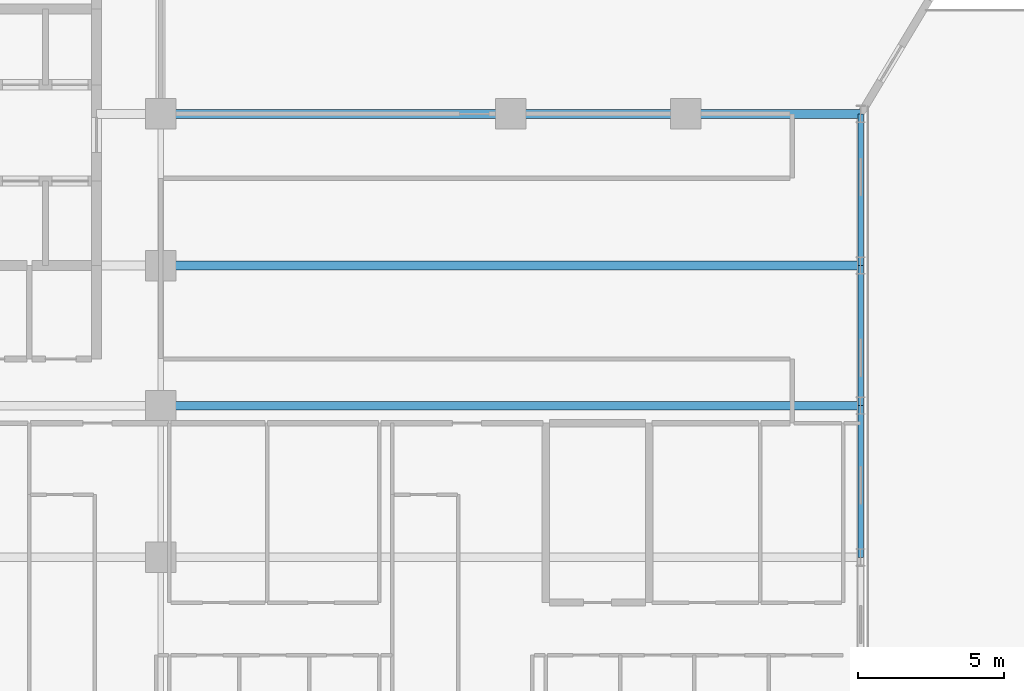
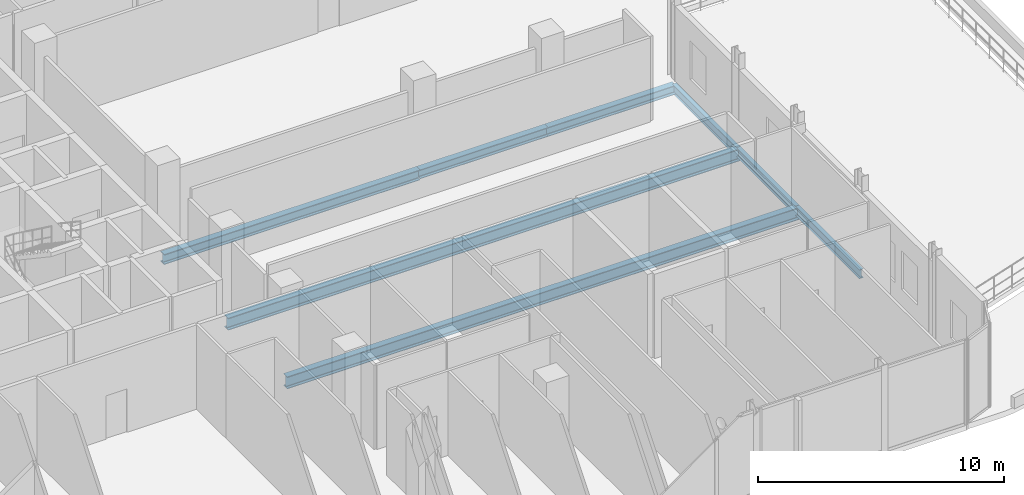
# One storey, part 11 of 30: 8 beams.
"""IFC4 building model written with IfcOpenShell, lengths in metres."""

from ifc_helpers import new_model, si_unit, direction, frame, origin, origin_2d, place, context, subcontext, project, spatial, i_section, extrude, material, material_profile, profile_set, type_object, element, save


model = new_model("IFC4")

# Units and contexts
model_context = context("Model", 3, precision=1e-05, world=origin(), true_north=direction((0.0, 1.0)))
body_context = subcontext(model_context, "Body", "Model", "MODEL_VIEW")
ifc_project = project(units=[si_unit("LENGTHUNIT", "METRE"), si_unit("AREAUNIT", "SQUARE_METRE"), si_unit("VOLUMEUNIT", "CUBIC_METRE"), si_unit("PLANEANGLEUNIT", "RADIAN"), si_unit("MASSUNIT", "GRAM", prefix="KILO")], contexts=[model_context])

# Site, building, storey
site_placement = place(None, origin())
site = spatial("IfcSite", under=ifc_project, at=site_placement, CompositionType="ELEMENT")
building_placement = place(site_placement, origin())
building = spatial("IfcBuilding", under=site, at=building_placement, Name="Keshet Zoharim Tower", CompositionType="ELEMENT")
storey_placement = place(building_placement, frame((0.0, 0.0, 86.39990234375)))
storey = spatial("IfcBuildingStorey", under=building, at=storey_placement, Name="L20", CompositionType="ELEMENT", Elevation=86.39990234375)

# Beams
ifc_material = material(Name="Steel S355", Category="steel")
ifc_material_profile_1 = material_profile(ifc_material, i_section(OverallWidth=0.300048828125, OverallDepth=0.60009765625, WebThickness=0.015380859375, FlangeThickness=0.030029296875, FilletRadius=0.027099609375, at=origin_2d()), Name="HEB600")
ifc_profile_set_1 = profile_set([ifc_material_profile_1], Name="Steel S355")
beam_type_1 = type_object("IfcBeamType", Name="BM-LNG-HB600", PredefinedType="BEAM", material=ifc_profile_set_1)
for number, where, z_axis, x_axis, name in (
    (1, (33.0, 17.89990234375, -0.614990234375), (1.0, 0.0, 0.0), (0.0, 1.0, 0.0), "L20 Primary Girder X-013"),
    (2, (33.0, 22.699951171875, -0.614990234375), (1.0, 0.0, 0.0), (0.0, 1.0, 0.0), "L20 Primary Girder X-014"),
):
    element("IfcBeam", number, at=place(storey_placement, frame(where, z_axis=z_axis, x_axis=x_axis)), inside=storey, type_object=beam_type_1, Name=name, PredefinedType="BEAM", context=body_context, shape_type="SweptSolid", body=[
        extrude(i_section(OverallWidth=0.300048828125, OverallDepth=0.60009765625, WebThickness=0.015380859375, FlangeThickness=0.030029296875, FilletRadius=0.027099609375, at=origin_2d()), origin(), (0.0, 0.0, 1.0), 24.0),
    ])
ifc_material_profile_2 = material_profile(ifc_material, i_section(OverallWidth=0.300048828125, OverallDepth=0.5, WebThickness=0.014404296875, FlangeThickness=0.028076171875, FilletRadius=0.027099609375, at=origin_2d()), Name="HEB500")
ifc_profile_set_2 = profile_set([ifc_material_profile_2], Name="Steel S355")
beam_type_2 = type_object("IfcBeamType", Name="BM-MED-HB500", PredefinedType="BEAM", material=ifc_profile_set_2)
beam_1_placement = place(storey_placement, frame((33.0, 27.89990234375, -0.56494140625), z_axis=(1.0, 0.0, 0.0), x_axis=(0.0, 1.0, 0.0)))
element("IfcBeam", 3, at=beam_1_placement, inside=storey, type_object=beam_type_2, Name="L20 Primary Girder X-015", PredefinedType="BEAM", context=body_context, shape_type="SweptSolid", body=[
    extrude(i_section(OverallWidth=0.300048828125, OverallDepth=0.5, WebThickness=0.014404296875, FlangeThickness=0.028076171875, FilletRadius=0.027099609375, at=origin_2d()), origin(), (0.0, 0.0, 1.0), 12.0),
])
ifc_material_profile_3 = material_profile(ifc_material, i_section(OverallWidth=0.18994140625, OverallDepth=0.449951171875, WebThickness=0.009521484375, FlangeThickness=0.0146484375, FilletRadius=0.02099609375, at=origin_2d()), Name="IPE450")
ifc_profile_set_3 = profile_set([ifc_material_profile_3], Name="Steel S355")
beam_type_3 = type_object("IfcBeamType", Name="BM-PRI-IP450", PredefinedType="BEAM", material=ifc_profile_set_3)
beam_2_placement = place(storey_placement, frame((57.0, 12.699951171875, -0.539794921875), z_axis=(0.0, 1.0, 0.0), x_axis=(-1.0, 0.0, 0.0)))
element("IfcBeam", 4, at=beam_2_placement, inside=storey, type_object=beam_type_3, Name="L20 Primary Girder Y-014", PredefinedType="BEAM", context=body_context, shape_type="SweptSolid", body=[
    extrude(i_section(OverallWidth=0.18994140625, OverallDepth=0.449951171875, WebThickness=0.009521484375, FlangeThickness=0.0146484375, FilletRadius=0.02099609375, at=origin_2d()), origin(), (0.0, 0.0, 1.0), 5.199951171875),
])
beam_3_placement = place(storey_placement, frame((57.0, 17.89990234375, -0.539794921875), z_axis=(0.0, 1.0, 0.0), x_axis=(-1.0, 0.0, 0.0)))
element("IfcBeam", 5, at=beam_3_placement, inside=storey, type_object=beam_type_3, Name="L20 Primary Girder Y-015", PredefinedType="BEAM", context=body_context, shape_type="SweptSolid", body=[
    extrude(i_section(OverallWidth=0.18994140625, OverallDepth=0.449951171875, WebThickness=0.009521484375, FlangeThickness=0.0146484375, FilletRadius=0.02099609375, at=origin_2d()), origin(), (0.0, 0.0, 1.0), 4.800048828125),
])
beam_4_placement = place(storey_placement, frame((57.0, 22.699951171875, -0.539794921875), z_axis=(0.0, 1.0, 0.0), x_axis=(-1.0, 0.0, 0.0)))
element("IfcBeam", 6, at=beam_4_placement, inside=storey, type_object=beam_type_3, Name="L20 Primary Girder Y-016", PredefinedType="BEAM", context=body_context, shape_type="SweptSolid", body=[
    extrude(i_section(OverallWidth=0.18994140625, OverallDepth=0.449951171875, WebThickness=0.009521484375, FlangeThickness=0.0146484375, FilletRadius=0.02099609375, at=origin_2d()), origin(), (0.0, 0.0, 1.0), 5.199951171875),
])
ifc_material_profile_4 = material_profile(ifc_material, i_section(OverallWidth=0.300048828125, OverallDepth=0.449951171875, WebThickness=0.013916015625, FlangeThickness=0.02587890625, FilletRadius=0.027099609375, at=origin_2d()), Name="HEB450")
ifc_profile_set_4 = profile_set([ifc_material_profile_4], Name="Steel S355")
beam_type_4 = type_object("IfcBeamType", Name="BM-WEB-HB450", PredefinedType="BEAM", material=ifc_profile_set_4)
for number, where, z_axis, x_axis, name in (
    (7, (45.0, 27.89990234375, -0.539794921875), (1.0, 0.0, 0.0), (0.0, 1.0, 0.0), "L20 Primary Girder X-016"),
    (8, (51.0, 27.89990234375, -0.539794921875), (1.0, 0.0, 0.0), (0.0, 1.0, 0.0), "L20 Primary Girder X-017"),
):
    element("IfcBeam", number, at=place(storey_placement, frame(where, z_axis=z_axis, x_axis=x_axis)), inside=storey, type_object=beam_type_4, Name=name, PredefinedType="BEAM", context=body_context, shape_type="SweptSolid", body=[
        extrude(i_section(OverallWidth=0.300048828125, OverallDepth=0.449951171875, WebThickness=0.013916015625, FlangeThickness=0.02587890625, FilletRadius=0.027099609375, at=origin_2d()), origin(), (0.0, 0.0, 1.0), 6.0),
    ])

save(model, "model.ifc")
